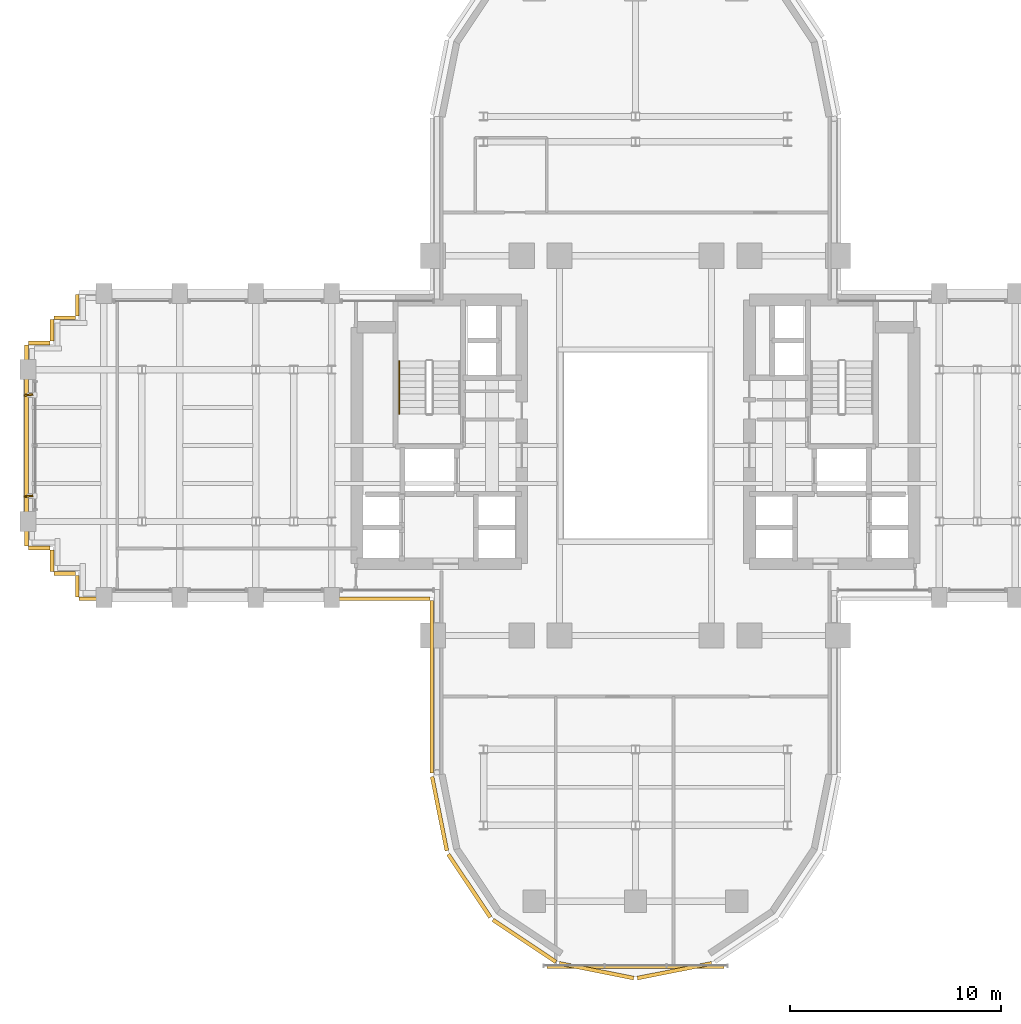
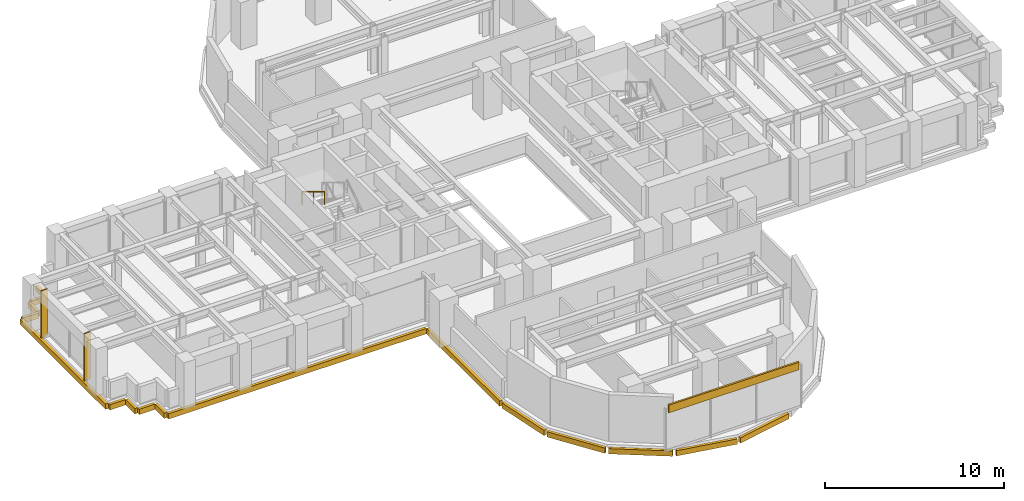
# One storey, part 13 of 16: 17 coverings, 2 shading devices, 1 railing.
"""IFC4 building model written with IfcOpenShell, lengths in metres."""

from ifc_helpers import new_model, si_unit, direction, frame, origin, origin_2d, place, context, subcontext, project, spatial, rectangle, extrude, source, transform, mapped, material, layer, layer_set, type_object, element, save


model = new_model("IFC4")

# Units and contexts
model_context = context("Model", 3, precision=1e-05, world=origin(), true_north=direction((0.0, 1.0)))
body_context = subcontext(model_context, "Body", "Model", "MODEL_VIEW")
ifc_project = project(units=[si_unit("LENGTHUNIT", "METRE"), si_unit("AREAUNIT", "SQUARE_METRE"), si_unit("VOLUMEUNIT", "CUBIC_METRE"), si_unit("PLANEANGLEUNIT", "RADIAN"), si_unit("MASSUNIT", "GRAM", prefix="KILO")], contexts=[model_context])

# Site, building, storey
site_placement = place(None, origin())
site = spatial("IfcSite", under=ifc_project, at=site_placement, CompositionType="ELEMENT")
building_placement = place(site_placement, origin())
building = spatial("IfcBuilding", under=site, at=building_placement, Name="Keilestroom Media Tower", CompositionType="ELEMENT")
storey_placement = place(building_placement, frame((0.0, 0.0, 57.800048828125)))
storey = spatial("IfcBuildingStorey", under=building, at=storey_placement, Name="L14", CompositionType="ELEMENT", Elevation=57.800048828125)

# Railing
ifc_material_1 = material(Name="Brushed Stainless Steel 1.4301", Category="steel")
railing_type = type_object("IfcRailingType", Name="Stair-Pitch-Handrail-920", PredefinedType="HANDRAIL", material=ifc_material_1)
railing_placement = place(storey_placement, frame((-11.2099609375, 3.99609375, 1.888916015625)))
element("IfcRailing", 1, at=railing_placement, inside=storey, type_object=railing_type, Name="L14 ST-1 stair handrail 2", PredefinedType="HANDRAIL", context=body_context, shape_type="SweptSolid", body=[
    extrude(rectangle(XDim=0.048095703125, YDim=0.048095703125, at=origin_2d()), frame((0.0, 0.0, 0.8759765625), z_axis=(0.0, -0.855470815493, 0.517851024754), x_axis=(1.0, 0.0, 0.0)), (0.0, 0.0, 1.0), 2.917724609375),
    extrude(rectangle(XDim=0.0419921875, YDim=0.0419921875, at=origin_2d()), origin(), (0.0, 0.0, 1.0), 0.84375),
    extrude(rectangle(XDim=0.0419921875, YDim=0.0419921875, at=origin_2d()), frame((0.0, -1.248046875, 0.75537109375)), (0.0, 0.0, 1.0), 0.84375),
    extrude(rectangle(XDim=0.0419921875, YDim=0.0419921875, at=origin_2d()), frame((0.0, -2.49609375, 1.510986328125)), (0.0, 0.0, 1.0), 0.84375),
])

# Covering
ifc_material_2 = material(Name="Precast concrete C40/50", Category="concrete")
ifc_layer = layer(ifc_material_2, 0.1201171875)
ifc_layer_set = layer_set([ifc_layer], Name="Precast concrete C40/50")
covering_type = type_object("IfcCoveringType", Name="Exterior-Precast-Spandrel-Cladding-Panel-120", PredefinedType="CLADDING", material=ifc_layer_set)
shared_shape_1 = source(origin(), body_context, "Body", "SweptSolid", [
    extrude(rectangle(XDim=8.39990234375, YDim=0.1201171875, at=origin_2d()), origin(), (0.0, 0.0, 1.0), 0.52001953125),
])
covering_1_placement = place(storey_placement, frame((0.0, -24.719970703125, 2.68994140625), z_axis=(0.0, 0.0, 1.0), x_axis=(1.0, 0.0, 0.0)))
element("IfcCovering", 2, at=covering_1_placement, inside=storey, type_object=covering_type, Name="L14 Precast Spandrel Cladding S", PredefinedType="CLADDING", context=body_context, shape_type="MappedRepresentation", body=[
    mapped(shared_shape_1, transform((0.0, 0.0, 0.0), x_axis=(1.0, 0.0, 0.0), y_axis=(0.0, 1.0, 0.0), z_axis=(0.0, 0.0, 1.0), scale=1.0)),
])

# Shading devices
ifc_material_3 = material(Name="Bronze Anodised Aluminium", Category="aluminium")
shading_device_type = type_object("IfcShadingDeviceType", Name="Facade-Vertical-Sunshade-Fin-SHD-1", PredefinedType="USERDEFINED", material=ifc_material_3)
shared_shape_2 = source(origin(), body_context, "Body", "SweptSolid", [
    extrude(rectangle(XDim=0.419921875, YDim=0.080078125, at=origin_2d()), origin(), (0.0, 0.0, 1.0), 3.199951171875),
])
for number, where, z_axis, x_axis, name in (
    (3, (-28.77001953125, -2.39990234375, 0.0), (0.0, 0.0, 1.0), (0.994985989212, 0.100014405321, 0.0), "L14 Twisting Sunshade Fin SHD-1 013"),
    (4, (-28.77001953125, 2.39990234375, 0.0), (0.0, 0.0, 1.0), (0.994985989212, 0.100014405321, 0.0), "L14 Twisting Sunshade Fin SHD-1 014"),
):
    element("IfcShadingDevice", number, at=place(storey_placement, frame(where, z_axis=z_axis, x_axis=x_axis)), inside=storey, type_object=shading_device_type, Name=name, ObjectType="SUNSHADE", PredefinedType="USERDEFINED", context=body_context, shape_type="MappedRepresentation", body=[
        mapped(shared_shape_2, transform((0.0, 0.0, 0.0), x_axis=(1.0, 0.0, 0.0), y_axis=(0.0, 1.0, 0.0), z_axis=(0.0, 0.0, 1.0), scale=1.0)),
    ])

# Coverings
shared_shape_3 = source(origin(), body_context, "Body", "SweptSolid", [
    extrude(rectangle(XDim=1.02001953125, YDim=0.179931640625, at=origin_2d()), origin(), (0.0, 0.0, 1.0), 0.360107421875),
])
for number, where, z_axis, x_axis, name in (
    (5, (-26.4599609375, -6.659912109375, -0.5400390625), (0.0, 0.0, 1.0), (0.0, 1.0, 0.0), "L14 Precast Slab-Edge Fascia Cornice 17"),
    (6, (-27.06005859375, -6.06005859375, -0.5400390625), (0.0, 0.0, 1.0), (-1.0, 0.0, 0.0), "L14 Precast Slab-Edge Fascia Cornice 18"),
    (7, (-27.659912109375, -5.4599609375, -0.5400390625), (0.0, 0.0, 1.0), (0.0, 1.0, 0.0), "L14 Precast Slab-Edge Fascia Cornice 19"),
    (8, (-28.260009765625, -4.860107421875, -0.5400390625), (0.0, 0.0, 1.0), (-1.0, 0.0, 0.0), "L14 Precast Slab-Edge Fascia Cornice 20"),
    (9, (-28.260009765625, 4.860107421875, -0.5400390625), (0.0, 0.0, 1.0), (1.0, 0.0, 0.0), "L14 Precast Slab-Edge Fascia Cornice 22"),
    (10, (-27.659912109375, 5.4599609375, -0.5400390625), (0.0, 0.0, 1.0), (0.0, 1.0, 0.0), "L14 Precast Slab-Edge Fascia Cornice 23"),
    (11, (-27.06005859375, 6.06005859375, -0.5400390625), (0.0, 0.0, 1.0), (1.0, 0.0, 0.0), "L14 Precast Slab-Edge Fascia Cornice 24"),
    (12, (-26.4599609375, 6.659912109375, -0.5400390625), (0.0, 0.0, 1.0), (0.0, 1.0, 0.0), "L14 Precast Slab-Edge Fascia Cornice 25"),
):
    element("IfcCovering", number, at=place(storey_placement, frame(where, z_axis=z_axis, x_axis=x_axis)), inside=storey, type_object=covering_type, Name=name, PredefinedType="CLADDING", context=body_context, shape_type="MappedRepresentation", body=[
        mapped(shared_shape_3, transform((0.0, 0.0, 0.0), x_axis=(1.0, 0.0, 0.0), y_axis=(0.0, 1.0, 0.0), z_axis=(0.0, 0.0, 1.0), scale=1.0)),
    ])
shared_shape_4 = source(origin(), body_context, "Body", "SweptSolid", [
    extrude(rectangle(XDim=16.6201171875, YDim=0.179931640625, at=origin_2d()), origin(), (0.0, 0.0, 1.0), 0.360107421875),
])
covering_2_placement = place(storey_placement, frame((-18.06005859375, -7.260009765625, -0.5400390625), z_axis=(0.0, 0.0, 1.0), x_axis=(-1.0, 0.0, 0.0)))
element("IfcCovering", 13, at=covering_2_placement, inside=storey, type_object=covering_type, Name="L14 Precast Slab-Edge Fascia Cornice 16", PredefinedType="CLADDING", context=body_context, shape_type="MappedRepresentation", body=[
    mapped(shared_shape_4, transform((0.0, 0.0, 0.0), x_axis=(1.0, 0.0, 0.0), y_axis=(0.0, 1.0, 0.0), z_axis=(0.0, 0.0, 1.0), scale=1.0)),
])
shared_shape_5 = source(origin(), body_context, "Body", "SweptSolid", [
    extrude(rectangle(XDim=8.166015625, YDim=0.179931640625, at=origin_2d()), origin(), (0.0, 0.0, 1.0), 0.360107421875),
])
covering_3_placement = place(storey_placement, frame((-9.659912109375, -11.43310546875, -0.5400390625), z_axis=(0.0, 0.0, 1.0), x_axis=(0.0, 1.0, 0.0)))
element("IfcCovering", 14, at=covering_3_placement, inside=storey, type_object=covering_type, Name="L14 Precast Slab-Edge Fascia Cornice 15", PredefinedType="CLADDING", context=body_context, shape_type="MappedRepresentation", body=[
    mapped(shared_shape_5, transform((0.0, 0.0, 0.0), x_axis=(1.0, 0.0, 0.0), y_axis=(0.0, 1.0, 0.0), z_axis=(0.0, 0.0, 1.0), scale=1.0)),
])
shared_shape_6 = source(origin(), body_context, "Body", "SweptSolid", [
    extrude(rectangle(XDim=3.58349609375, YDim=0.179931640625, at=origin_2d()), origin(), (0.0, 0.0, 1.0), 0.360107421875),
])
covering_4_placement = place(storey_placement, frame((-9.29296875, -17.45166015625, -0.5400390625), z_axis=(0.0, 0.0, 1.0), x_axis=(-0.195098880975, 0.980783577882, 0.0)))
element("IfcCovering", 15, at=covering_4_placement, inside=storey, type_object=covering_type, Name="L14 Precast Slab-Edge Fascia Cornice 14", PredefinedType="CLADDING", context=body_context, shape_type="MappedRepresentation", body=[
    mapped(shared_shape_6, transform((0.0, 0.0, 0.0), x_axis=(1.0, 0.0, 0.0), y_axis=(0.0, 1.0, 0.0), z_axis=(0.0, 0.0, 1.0), scale=1.0)),
])
shared_shape_7 = source(origin(), body_context, "Body", "SweptSolid", [
    extrude(rectangle(XDim=3.589599609375, YDim=0.179931640625, at=origin_2d()), origin(), (0.0, 0.0, 1.0), 0.360107421875),
])
for number, where, z_axis, x_axis, name in (
    (16, (1.8486328125, -24.893310546875, -0.5400390625), (0.0, 0.0, 1.0), (-0.980783577882, -0.195098880975, 0.0), "L14 Precast Slab-Edge Fascia Cornice 10"),
    (17, (-1.8486328125, -24.893310546875, -0.5400390625), (0.0, 0.0, 1.0), (-0.980783577882, 0.195098880975, 0.0), "L14 Precast Slab-Edge Fascia Cornice 11"),
    (18, (-5.264404296875, -23.478515625, -0.5400390625), (0.0, 0.0, 1.0), (-0.831466703332, 0.555574586577, 0.0), "L14 Precast Slab-Edge Fascia Cornice 12"),
    (19, (-7.878662109375, -20.8642578125, -0.5400390625), (0.0, 0.0, 1.0), (-0.555574586577, 0.831466703332, 0.0), "L14 Precast Slab-Edge Fascia Cornice 13"),
):
    element("IfcCovering", number, at=place(storey_placement, frame(where, z_axis=z_axis, x_axis=x_axis)), inside=storey, type_object=covering_type, Name=name, PredefinedType="CLADDING", context=body_context, shape_type="MappedRepresentation", body=[
        mapped(shared_shape_7, transform((0.0, 0.0, 0.0), x_axis=(1.0, 0.0, 0.0), y_axis=(0.0, 1.0, 0.0), z_axis=(0.0, 0.0, 1.0), scale=1.0)),
    ])
shared_shape_8 = source(origin(), body_context, "Body", "SweptSolid", [
    extrude(rectangle(XDim=9.5400390625, YDim=0.179931640625, at=origin_2d()), origin(), (0.0, 0.0, 1.0), 0.360107421875),
])
covering_5_placement = place(storey_placement, frame((-28.860107421875, 0.0, -0.5400390625), z_axis=(0.0, 0.0, 1.0), x_axis=(0.0, 1.0, 0.0)))
element("IfcCovering", 20, at=covering_5_placement, inside=storey, type_object=covering_type, Name="L14 Precast Slab-Edge Fascia Cornice 21", PredefinedType="CLADDING", context=body_context, shape_type="MappedRepresentation", body=[
    mapped(shared_shape_8, transform((0.0, 0.0, 0.0), x_axis=(1.0, 0.0, 0.0), y_axis=(0.0, 1.0, 0.0), z_axis=(0.0, 0.0, 1.0), scale=1.0)),
])

save(model, "model.ifc")
